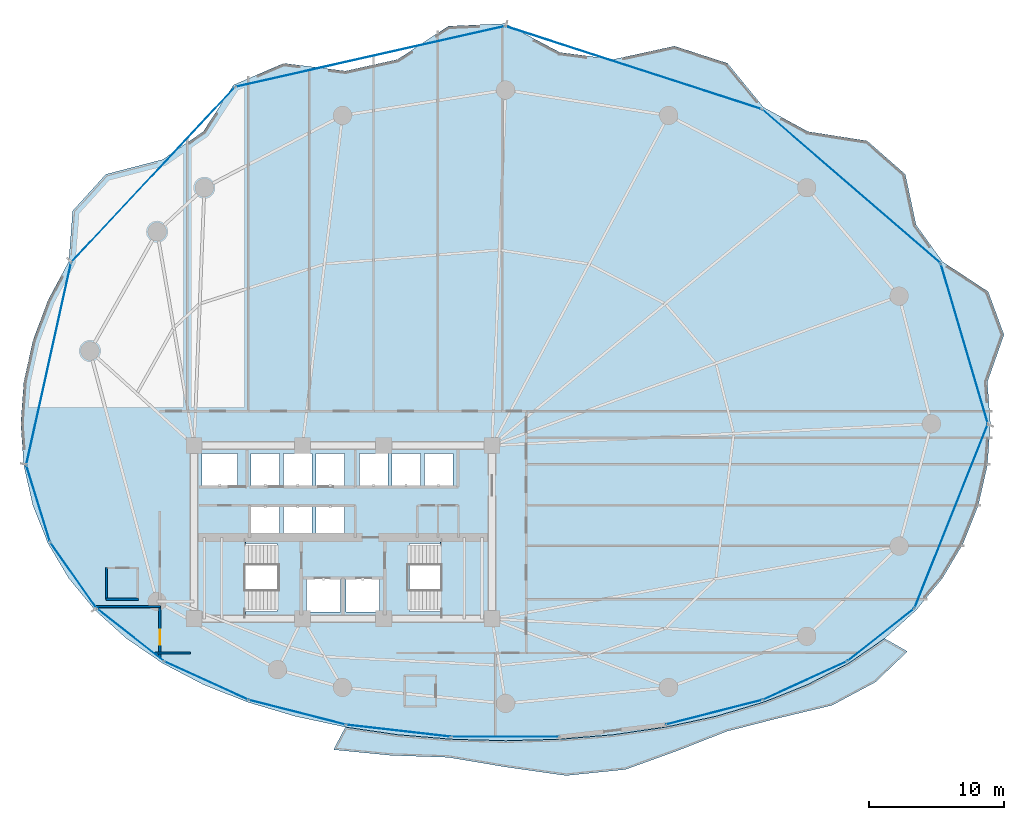
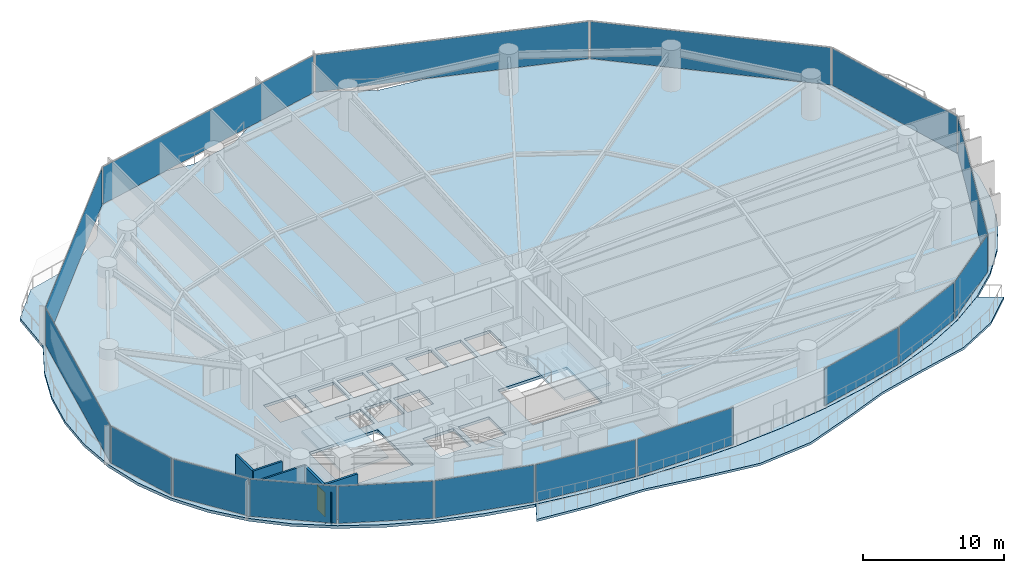
# One storey, part 25 of 33: 17 plates, 5 walls, 4 slabs, 1 door, 1 opening, 19 elements without a shape of their own.
"""IFC4 building model written with IfcOpenShell, lengths in metres."""

from ifc_helpers import new_model, si_unit, direction, frame, frame_2d, origin, origin_2d, place, context, subcontext, project, spatial, polyline, rectangle, outline, extrude, material, layer, layer_set, type_object, element, fill, aggregate, save


model = new_model("IFC4")

# Units and contexts
model_context = context("Model", 3, precision=1e-05, world=origin(), true_north=direction((0.0, 1.0)))
body_context = subcontext(model_context, "Body", "Model", "MODEL_VIEW")
ifc_project = project(units=[si_unit("LENGTHUNIT", "METRE"), si_unit("AREAUNIT", "SQUARE_METRE"), si_unit("VOLUMEUNIT", "CUBIC_METRE"), si_unit("PLANEANGLEUNIT", "RADIAN"), si_unit("MASSUNIT", "GRAM", prefix="KILO")], contexts=[model_context])

# Site, building, storey
site_placement = place(None, origin())
site = spatial("IfcSite", under=ifc_project, at=site_placement, CompositionType="ELEMENT")
building_placement = place(site_placement, origin())
building = spatial("IfcBuilding", under=site, at=building_placement, Name="Kazevale Care Tower and Concert Hall", CompositionType="ELEMENT")
storey_placement = place(building_placement, frame((0.0, 0.0, 49.199951171875)))
storey = spatial("IfcBuildingStorey", under=building, at=storey_placement, Name="L12", CompositionType="ELEMENT", Elevation=49.199951171875)

# Curtain wall, plate
ifc_material_1 = material(Name="Aluminium 6063-T6 and Low-E Glass", Category="aluminium")
ifc_layer_1 = layer(ifc_material_1, 0.179931640625)
ifc_layer_set_1 = layer_set([ifc_layer_1], Name="Aluminium 6063-T6 and Low-E Glass")
curtain_wall_type_1 = type_object("IfcCurtainWallType", Name="Convex Checkerboard Finned Curtain Wall CW-2", PredefinedType="NOTDEFINED", material=ifc_layer_set_1)
curtain_wall_1_placement = place(storey_placement, origin())
curtain_wall_1 = element("IfcCurtainWall", 1, at=curtain_wall_1_placement, inside=storey, type_object=curtain_wall_type_1, Name="cw:L12:f14", PredefinedType="NOTDEFINED")
ifc_material_2 = material(Name="Low-E Laminated Glass", Category="glass")
ifc_layer_2 = layer(ifc_material_2, 0.028076171875)
ifc_layer_set_2 = layer_set([ifc_layer_2], Name="Low-E Laminated Glass")
plate_type_1 = type_object("IfcPlateType", Name="CW-2 Low-E Glazing Panel 28mm", PredefinedType="CURTAIN_PANEL", material=ifc_layer_set_2)
plate_1_placement = place(storey_placement, frame((18.9794921875, 56.39990234375, 0.074951171875), z_axis=(0.0, 0.0, 1.0), x_axis=(0.683059159381, 0.730363049987, 0.0)))
plate_1 = element("IfcPlate", 2, at=plate_1_placement, type_object=plate_type_1, Name="CW-2 panel 1.1", PredefinedType="CURTAIN_PANEL", context=body_context, shape_type="SweptSolid", body=[
    extrude(rectangle(XDim=17.576416015625, YDim=0.028076171875, at=origin_2d()), origin(), (0.0, 0.0, 1.0), 3.2099609375),
])
aggregate(curtain_wall_1, [plate_1])

curtain_wall_2_placement = place(storey_placement, origin())
curtain_wall_2 = element("IfcCurtainWall", 3, at=curtain_wall_2_placement, inside=storey, type_object=curtain_wall_type_1, Name="cw:L12:f16", PredefinedType="NOTDEFINED")
plate_2_placement = place(storey_placement, frame((54.444580078125, 64.298095703125, 0.074951171875), z_axis=(0.0, 0.0, 1.0), x_axis=(0.951410385043, -0.307925769029, 0.0)))
plate_2 = element("IfcPlate", 4, at=plate_2_placement, type_object=plate_type_1, Name="CW-2 panel 1.1", PredefinedType="CURTAIN_PANEL", context=body_context, shape_type="SweptSolid", body=[
    extrude(rectangle(XDim=19.77978515625, YDim=0.028076171875, at=origin_2d()), origin(), (0.0, 0.0, 1.0), 3.2099609375),
])
aggregate(curtain_wall_2, [plate_2])

ifc_layer_3 = layer(ifc_material_1, 0.179931640625)
ifc_layer_set_3 = layer_set([ifc_layer_3], Name="Aluminium 6063-T6 and Low-E Glass")
curtain_wall_type_2 = type_object("IfcCurtainWallType", Name="Convex Recessed Sunroom Curtain Wall CW-3", PredefinedType="NOTDEFINED", material=ifc_layer_set_3)
curtain_wall_3_placement = place(storey_placement, origin())
curtain_wall_3 = element("IfcCurtainWall", 5, at=curtain_wall_3_placement, inside=storey, type_object=curtain_wall_type_2, Name="cw:L12:f15", PredefinedType="NOTDEFINED")
ifc_layer_4 = layer(ifc_material_2, 0.028076171875)
ifc_layer_set_4 = layer_set([ifc_layer_4], Name="Low-E Laminated Glass")
plate_type_2 = type_object("IfcPlateType", Name="CW-3 Low-E Glazing Panel 28mm", PredefinedType="CURTAIN_PANEL", material=ifc_layer_set_4)
plate_3_placement = place(storey_placement, frame((34.998046875, 65.12255859375, 0.074951171875), z_axis=(0.0, 0.0, 1.0), x_axis=(0.975520013596, 0.219910670667, 0.0)))
plate_3 = element("IfcPlate", 6, at=plate_3_placement, type_object=plate_type_2, Name="CW-3 panel 1.1", PredefinedType="CURTAIN_PANEL", context=body_context, shape_type="SweptSolid", body=[
    extrude(rectangle(XDim=20.27197265625, YDim=0.028076171875, at=origin_2d()), origin(), (0.0, 0.0, 1.0), 3.2099609375),
])
aggregate(curtain_wall_3, [plate_3])

curtain_wall_4_placement = place(storey_placement, origin())
curtain_wall_4 = element("IfcCurtainWall", 7, at=curtain_wall_4_placement, inside=storey, type_object=curtain_wall_type_2, Name="cw:L12:f17", PredefinedType="NOTDEFINED")
plate_4_placement = place(storey_placement, frame((70.529052734375, 55.535400390625, 0.074951171875), z_axis=(0.0, 0.0, 1.0), x_axis=(0.757199570248, -0.653183596561, 0.0)))
plate_4 = element("IfcPlate", 8, at=plate_4_placement, type_object=plate_type_2, Name="CW-3 panel 1.1", PredefinedType="CURTAIN_PANEL", context=body_context, shape_type="SweptSolid", body=[
    extrude(rectangle(XDim=17.280029296875, YDim=0.028076171875, at=origin_2d()), origin(), (0.0, 0.0, 1.0), 3.2099609375),
])
aggregate(curtain_wall_4, [plate_4])

ifc_layer_5 = layer(ifc_material_1, 0.179931640625)
ifc_layer_set_5 = layer_set([ifc_layer_5], Name="Aluminium 6063-T6 and Low-E Glass")
curtain_wall_type_3 = type_object("IfcCurtainWallType", Name="Waist & Upper Residential Curtain Wall CW-4", PredefinedType="NOTDEFINED", material=ifc_layer_set_5)
curtain_wall_5_placement = place(storey_placement, origin())
curtain_wall_5 = element("IfcCurtainWall", 9, at=curtain_wall_5_placement, inside=storey, type_object=curtain_wall_type_3, Name="cw:L12:f01", PredefinedType="NOTDEFINED")
ifc_layer_6 = layer(ifc_material_2, 0.030029296875)
ifc_layer_set_6 = layer_set([ifc_layer_6], Name="Low-E Laminated Glass")
plate_type_3 = type_object("IfcPlateType", Name="CW-4 Low-E Glazing Panel 30mm", PredefinedType="CURTAIN_PANEL", material=ifc_layer_set_6)
plate_5_placement = place(storey_placement, frame((77.90087890625, 31.181884765625, 0.080078125), z_axis=(0.0, 0.0, 1.0), x_axis=(-0.370427424456, -0.928861412274, 0.0)))
plate_5 = element("IfcPlate", 10, at=plate_5_placement, type_object=plate_type_3, Name="CW-4 panel 1.1", PredefinedType="CURTAIN_PANEL", context=body_context, shape_type="SweptSolid", body=[
    extrude(rectangle(XDim=14.520263671875, YDim=0.030029296875, at=origin_2d()), origin(), (0.0, 0.0, 1.0), 3.199951171875),
])
aggregate(curtain_wall_5, [plate_5])

curtain_wall_6_placement = place(storey_placement, origin())
curtain_wall_6 = element("IfcCurtainWall", 11, at=curtain_wall_6_placement, inside=storey, type_object=curtain_wall_type_3, Name="cw:L12:f11", PredefinedType="NOTDEFINED")
plate_6_placement = place(storey_placement, frame((13.094482421875, 26.81103515625, 0.080078125), z_axis=(0.0, 0.0, 1.0), x_axis=(-0.575836813322, 0.817564654583, 0.0)))
plate_6 = element("IfcPlate", 12, at=plate_6_placement, type_object=plate_type_3, Name="CW-4 panel 1.1", PredefinedType="CURTAIN_PANEL", context=body_context, shape_type="SweptSolid", body=[
    extrude(rectangle(XDim=5.826171875, YDim=0.030029296875, at=origin_2d()), origin(), (0.0, 0.0, 1.0), 3.199951171875),
])
aggregate(curtain_wall_6, [plate_6])

curtain_wall_7_placement = place(storey_placement, origin())
curtain_wall_7 = element("IfcCurtainWall", 13, at=curtain_wall_7_placement, inside=storey, type_object=curtain_wall_type_3, Name="cw:L12:f12", PredefinedType="NOTDEFINED")
plate_7_placement = place(storey_placement, frame((10.487548828125, 32.10791015625, 0.080078125), z_axis=(0.0, 0.0, 1.0), x_axis=(-0.296098771112, 0.955157326175, 0.0)))
plate_7 = element("IfcPlate", 14, at=plate_7_placement, type_object=plate_type_3, Name="CW-4 panel 1.1", PredefinedType="CURTAIN_PANEL", context=body_context, shape_type="SweptSolid", body=[
    extrude(rectangle(XDim=5.8076171875, YDim=0.030029296875, at=origin_2d()), origin(), (0.0, 0.0, 1.0), 3.199951171875),
])
aggregate(curtain_wall_7, [plate_7])

curtain_wall_8_placement = place(storey_placement, origin())
curtain_wall_8 = element("IfcCurtainWall", 15, at=curtain_wall_8_placement, inside=storey, type_object=curtain_wall_type_3, Name="cw:L12:f13", PredefinedType="NOTDEFINED")
plate_8_placement = place(storey_placement, frame((11.262939453125, 42.4404296875, 0.080078125), z_axis=(0.0, 0.0, 1.0), x_axis=(0.216460716862, 0.976291328475, 0.0)))
plate_8 = element("IfcPlate", 16, at=plate_8_placement, type_object=plate_type_3, Name="CW-4 panel 1.1", PredefinedType="CURTAIN_PANEL", context=body_context, shape_type="SweptSolid", body=[
    extrude(rectangle(XDim=15.16845703125, YDim=0.030029296875, at=origin_2d()), origin(), (0.0, 0.0, 1.0), 3.199951171875),
])
aggregate(curtain_wall_8, [plate_8])

curtain_wall_9_placement = place(storey_placement, origin())
curtain_wall_9 = element("IfcCurtainWall", 17, at=curtain_wall_9_placement, inside=storey, type_object=curtain_wall_type_3, Name="cw:L12:f18", PredefinedType="NOTDEFINED")
plate_9_placement = place(storey_placement, frame((78.8740234375, 43.92138671875, 0.080078125), z_axis=(0.0, 0.0, 1.0), x_axis=(0.282819600918, -0.959173119586, 0.0)))
plate_9 = element("IfcPlate", 18, at=plate_9_placement, type_object=plate_type_3, Name="CW-4 panel 1.1", PredefinedType="CURTAIN_PANEL", context=body_context, shape_type="SweptSolid", body=[
    extrude(rectangle(XDim=12.18701171875, YDim=0.030029296875, at=origin_2d()), origin(), (0.0, 0.0, 1.0), 3.199951171875),
])
aggregate(curtain_wall_9, [plate_9])

ifc_layer_7 = layer(ifc_material_1, 0.179931640625)
ifc_layer_set_7 = layer_set([ifc_layer_7], Name="Aluminium 6063-T6 and Low-E Glass")
curtain_wall_type_4 = type_object("IfcCurtainWallType", Name="Sheltered Concave Balcony Curtain Wall CW-5", PredefinedType="NOTDEFINED", material=ifc_layer_set_7)
curtain_wall_10_placement = place(storey_placement, origin())
curtain_wall_10 = element("IfcCurtainWall", 19, at=curtain_wall_10_placement, inside=storey, type_object=curtain_wall_type_4, Name="cw:L12:f02", PredefinedType="NOTDEFINED")
ifc_layer_8 = layer(ifc_material_2, 0.02587890625)
ifc_layer_set_8 = layer_set([ifc_layer_8], Name="Low-E Laminated Glass")
plate_type_4 = type_object("IfcPlateType", Name="CW-5 Low-E Glazing Panel 26mm", PredefinedType="CURTAIN_PANEL", material=ifc_layer_set_8)
plate_10_placement = place(storey_placement, frame((72.701904296875, 22.41552734375, 0.074951171875), z_axis=(0.0, 0.0, 1.0), x_axis=(-0.78632934107, -0.617807548814, 0.0)))
plate_10 = element("IfcPlate", 20, at=plate_10_placement, type_object=plate_type_4, Name="CW-5 panel 1.1", PredefinedType="CURTAIN_PANEL", context=body_context, shape_type="SweptSolid", body=[
    extrude(rectangle(XDim=6.15771484375, YDim=0.02587890625, at=origin_2d()), origin(), (0.0, 0.0, 1.0), 3.2099609375),
])
aggregate(curtain_wall_10, [plate_10])

curtain_wall_11_placement = place(storey_placement, origin())
curtain_wall_11 = element("IfcCurtainWall", 21, at=curtain_wall_11_placement, inside=storey, type_object=curtain_wall_type_4, Name="cw:L12:f03", PredefinedType="NOTDEFINED")
plate_11_placement = place(storey_placement, frame((67.10498046875, 19.04248046875, 0.074951171875), z_axis=(0.0, 0.0, 1.0), x_axis=(-0.909520179795, -0.415659767773, 0.0)))
plate_11 = element("IfcPlate", 22, at=plate_11_placement, type_object=plate_type_4, Name="CW-5 panel 1.1", PredefinedType="CURTAIN_PANEL", context=body_context, shape_type="SweptSolid", body=[
    extrude(rectangle(XDim=6.7041015625, YDim=0.02587890625, at=origin_2d()), origin(), (0.0, 0.0, 1.0), 3.2099609375),
])
aggregate(curtain_wall_11, [plate_11])

curtain_wall_12_placement = place(storey_placement, origin())
curtain_wall_12 = element("IfcCurtainWall", 23, at=curtain_wall_12_placement, inside=storey, type_object=curtain_wall_type_4, Name="cw:L12:f04", PredefinedType="NOTDEFINED")
plate_12_placement = place(storey_placement, frame((60.389892578125, 16.699951171875, 0.074951171875), z_axis=(0.0, 0.0, 1.0), x_axis=(-0.968958899798, -0.247221864936, 0.0)))
plate_12 = element("IfcPlate", 24, at=plate_12_placement, type_object=plate_type_4, Name="CW-5 panel 1.1", PredefinedType="CURTAIN_PANEL", context=body_context, shape_type="SweptSolid", body=[
    extrude(rectangle(XDim=7.276611328125, YDim=0.02587890625, at=origin_2d()), origin(), (0.0, 0.0, 1.0), 3.2099609375),
])
aggregate(curtain_wall_12, [plate_12])

curtain_wall_13_placement = place(storey_placement, origin())
curtain_wall_13 = element("IfcCurtainWall", 25, at=curtain_wall_13_placement, inside=storey, type_object=curtain_wall_type_4, Name="cw:L12:f06", PredefinedType="NOTDEFINED")
plate_13_placement = place(storey_placement, frame((45.0, 14.889892578125, 0.074951171875), z_axis=(0.0, 0.0, 1.0), x_axis=(-1.0, 0.0, 0.0)))
plate_13 = element("IfcPlate", 26, at=plate_13_placement, type_object=plate_type_4, Name="CW-5 panel 1.1", PredefinedType="CURTAIN_PANEL", context=body_context, shape_type="SweptSolid", body=[
    extrude(rectangle(XDim=7.845947265625, YDim=0.02587890625, at=origin_2d()), origin(), (0.0, 0.0, 1.0), 3.2099609375),
])
aggregate(curtain_wall_13, [plate_13])

curtain_wall_14_placement = place(storey_placement, origin())
curtain_wall_14 = element("IfcCurtainWall", 27, at=curtain_wall_14_placement, inside=storey, type_object=curtain_wall_type_4, Name="cw:L12:f07", PredefinedType="NOTDEFINED")
plate_14_placement = place(storey_placement, frame((37.10498046875, 15.3359375, 0.074951171875), z_axis=(0.0, 0.0, 1.0), x_axis=(-0.993514581883, 0.113704773808, 0.0)))
plate_14 = element("IfcPlate", 28, at=plate_14_placement, type_object=plate_type_4, Name="CW-5 panel 1.1", PredefinedType="CURTAIN_PANEL", context=body_context, shape_type="SweptSolid", body=[
    extrude(rectangle(XDim=7.69482421875, YDim=0.02587890625, at=origin_2d()), origin(), (0.0, 0.0, 1.0), 3.2099609375),
])
aggregate(curtain_wall_14, [plate_14])

curtain_wall_15_placement = place(storey_placement, origin())
curtain_wall_15 = element("IfcCurtainWall", 29, at=curtain_wall_15_placement, inside=storey, type_object=curtain_wall_type_4, Name="cw:L12:f08", PredefinedType="NOTDEFINED")
plate_15_placement = place(storey_placement, frame((29.610107421875, 16.699951171875, 0.074951171875), z_axis=(0.0, 0.0, 1.0), x_axis=(-0.968958899798, 0.247221864936, 0.0)))
plate_15 = element("IfcPlate", 30, at=plate_15_placement, type_object=plate_type_4, Name="CW-5 panel 1.1", PredefinedType="CURTAIN_PANEL", context=body_context, shape_type="SweptSolid", body=[
    extrude(rectangle(XDim=7.276611328125, YDim=0.02587890625, at=origin_2d()), origin(), (0.0, 0.0, 1.0), 3.2099609375),
])
aggregate(curtain_wall_15, [plate_15])

curtain_wall_16_placement = place(storey_placement, origin())
curtain_wall_16 = element("IfcCurtainWall", 31, at=curtain_wall_16_placement, inside=storey, type_object=curtain_wall_type_4, Name="cw:L12:f09", PredefinedType="NOTDEFINED")
plate_16_placement = place(storey_placement, frame((22.89501953125, 19.04248046875, 0.074951171875), z_axis=(0.0, 0.0, 1.0), x_axis=(-0.909520179795, 0.415659767773, 0.0)))
plate_16 = element("IfcPlate", 32, at=plate_16_placement, type_object=plate_type_4, Name="CW-5 panel 1.1", PredefinedType="CURTAIN_PANEL", context=body_context, shape_type="SweptSolid", body=[
    extrude(rectangle(XDim=6.7041015625, YDim=0.02587890625, at=origin_2d()), origin(), (0.0, 0.0, 1.0), 3.2099609375),
])
aggregate(curtain_wall_16, [plate_16])

curtain_wall_17_placement = place(storey_placement, origin())
curtain_wall_17 = element("IfcCurtainWall", 33, at=curtain_wall_17_placement, inside=storey, type_object=curtain_wall_type_4, Name="cw:L12:f10", PredefinedType="NOTDEFINED")
plate_17_placement = place(storey_placement, frame((17.298095703125, 22.41552734375, 0.074951171875), z_axis=(0.0, 0.0, 1.0), x_axis=(-0.78632934107, 0.617807548814, 0.0)))
plate_17 = element("IfcPlate", 34, at=plate_17_placement, type_object=plate_type_4, Name="CW-5 panel 1.1", PredefinedType="CURTAIN_PANEL", context=body_context, shape_type="SweptSolid", body=[
    extrude(rectangle(XDim=6.15771484375, YDim=0.02587890625, at=origin_2d()), origin(), (0.0, 0.0, 1.0), 3.2099609375),
])
aggregate(curtain_wall_17, [plate_17])

# Slab
ifc_material_3 = material(Name="Concrete C40", Category="concrete")
ifc_layer_9 = layer(ifc_material_3, 0.199951171875)
ifc_layer_set_9 = layer_set([ifc_layer_9], Name="Concrete C40")
slab_type_1 = type_object("IfcSlabType", Name="Sinusoidal Concave Balcony Slab 200", PredefinedType="USERDEFINED", material=ifc_layer_set_9)
slab_1_placement = place(storey_placement, frame((0.0, 0.0, -0.199951171875)))
element("IfcSlab", 35, at=slab_1_placement, inside=storey, type_object=slab_type_1, Name="slab:L12:bal", ObjectType="BALCONY", PredefinedType="USERDEFINED", context=body_context, shape_type="SweptSolid", body=[
    extrude(outline(polyline([(74.67236328125, 21.18994140625), (72.302001953125, 18.92333984375), (69.1015625, 17.212158203125), (65.14111328125, 16.266845703125), (61.33349609375, 15.290283203125), (57.735595703125, 13.87841796875), (53.857421875, 12.475830078125), (49.470458984375, 12.025146484375), (45.0, 12.660400390625), (40.76123046875, 13.37109375), (36.50439453125, 13.517822265625), (32.29541015625, 13.9375), (33.173583984375, 15.6005859375), (33.175048828125, 15.600341796875), (37.033203125, 15.038818359375), (40.991455078125, 14.705322265625), (45.0, 14.594970703125), (49.008544921875, 14.705322265625), (52.966796875, 15.038818359375), (56.824951171875, 15.600341796875), (60.5341796875, 16.3984375), (64.04833984375, 17.443115234375), (67.322998046875, 18.743408203125), (70.31689453125, 20.3076171875), (72.99267578125, 22.139404296875), (72.994140625, 22.140625), (74.67236328125, 21.18994140625)])), origin(), (0.0, 0.0, 1.0), 0.199951171875),
])

# Stair, slab
stair_type = type_object("IfcStairType", Name="Exit Stair Assembly ST1-Z1", PredefinedType="HALF_TURN_STAIR", material=ifc_material_3)
stair_1_placement = place(storey_placement, origin())
stair_1 = element("IfcStair", 36, at=stair_1_placement, inside=storey, type_object=stair_type, Name="stair:L12:ST1", PredefinedType="HALF_TURN_STAIR")
ifc_layer_10 = layer(ifc_material_3, 0.199951171875)
ifc_layer_set_10 = layer_set([ifc_layer_10], Name="Concrete C40")
slab_type_2 = type_object("IfcSlabType", Name="Stair Half-Landing Slab ST1-Z1", PredefinedType="LANDING", material=ifc_layer_set_10)
slab_2_placement = place(storey_placement, frame((0.0, 0.0, 1.60009765625)))
slab_2 = element("IfcSlab", 37, at=slab_2_placement, type_object=slab_type_2, Name="ST1-Z1 landing 1", PredefinedType="LANDING", context=body_context, shape_type="SweptSolid", body=[
    extrude(outline(polyline([(22.050048828125, 23.699951171875), (25.81005859375, 23.699951171875), (25.81005859375, 29.5), (22.050048828125, 29.5), (22.050048828125, 23.699951171875)])), origin(), (0.0, 0.0, 1.0), 0.199951171875),
])
aggregate(stair_1, [slab_2])

stair_2_placement = place(storey_placement, origin())
stair_2 = element("IfcStair", 38, at=stair_2_placement, inside=storey, type_object=stair_type, Name="stair:L12:ST2", PredefinedType="HALF_TURN_STAIR")
slab_3_placement = place(storey_placement, frame((0.0, 0.0, 1.60009765625)))
slab_3 = element("IfcSlab", 39, at=slab_3_placement, type_object=slab_type_2, Name="ST1-Z1 landing 1", PredefinedType="LANDING", context=body_context, shape_type="SweptSolid", body=[
    extrude(outline(polyline([(40.18994140625, 23.699951171875), (43.949951171875, 23.699951171875), (43.949951171875, 29.5), (40.18994140625, 29.5), (40.18994140625, 23.699951171875)])), origin(), (0.0, 0.0, 1.0), 0.199951171875),
])
aggregate(stair_2, [slab_3])

# Slab
ifc_layer_11 = layer(ifc_material_3, 0.239990234375)
ifc_layer_set_11 = layer_set([ifc_layer_11], Name="Concrete C40")
slab_type_3 = type_object("IfcSlabType", Name="Tower Typical Floor Slab 240", PredefinedType="FLOOR", material=ifc_layer_set_11)
slab_4_placement = place(storey_placement, frame((0.0, 0.0, -0.239990234375)))
element("IfcSlab", 40, at=slab_4_placement, inside=storey, type_object=slab_type_3, Name="slab:L12:tw:1", PredefinedType="FLOOR", context=body_context, shape_type="SweptSolid", body=[
    extrude(outline(polyline([(80.800048828125, 38.0), (80.574951171875, 41.090087890625), (81.803466796875, 44.575439453125), (80.631591796875, 47.759765625), (77.254638671875, 49.97509765625), (75.312744140625, 52.68408203125), (74.51416015625, 56.424072265625), (71.693359375, 58.89501953125), (67.32080078125, 59.57861328125), (64.046630859375, 61.36962890625), (61.379150390625, 64.62353515625), (57.468017578125, 65.891845703125), (52.96630859375, 64.907958984375), (49.00830078125, 65.426513671875), (45.0, 67.550048828125), (40.773193359375, 67.3642578125), (37.03369140625, 64.907958984375), (33.176025390625, 64.05126953125), (28.620849609375, 64.62353515625), (24.915771484375, 63.020751953125), (22.67919921875, 59.57861328125), (19.685546875, 57.51611328125), (15.48583984375, 56.424072265625), (13.0361328125, 53.721435546875), (12.745361328125, 49.97509765625), (11.208984375, 47.11572265625), (10.09765625, 44.1416015625), (9.425048828125, 41.090087890625), (9.199951171875, 38.0), (9.425048828125, 34.931640625), (10.09765625, 31.972412109375), (11.208984375, 29.178466796875), (12.745361328125, 26.591064453125), (14.687255859375, 24.239501953125), (17.010498046875, 22.143310546875), (19.685546875, 20.31201171875), (22.67919921875, 18.748046875), (25.953369140625, 17.44775390625), (29.467041015625, 16.4033203125), (33.176025390625, 15.605224609375), (37.03369140625, 15.043701171875), (40.99169921875, 14.71044921875), (45.0, 14.60009765625), (49.00830078125, 14.71044921875), (52.96630859375, 15.043701171875), (56.823974609375, 15.605224609375), (60.532958984375, 16.4033203125), (64.046630859375, 17.44775390625), (67.32080078125, 18.748046875), (70.314453125, 20.31201171875), (72.989501953125, 22.143310546875), (75.312744140625, 24.239501953125), (77.254638671875, 26.591064453125), (78.791015625, 29.178466796875), (79.90234375, 31.972412109375), (80.574951171875, 34.931640625), (80.800048828125, 38.0)]), holes=[polyline([(22.449951171875, 24.14990234375), (28.110107421875, 24.14990234375), (28.110107421875, 29.14990234375), (22.449951171875, 29.14990234375), (22.449951171875, 24.14990234375)]), polyline([(37.889892578125, 24.14990234375), (43.550048828125, 24.14990234375), (43.550048828125, 29.14990234375), (37.889892578125, 29.14990234375), (37.889892578125, 24.14990234375)]), polyline([(30.300048828125, 24.10009765625), (32.800048828125, 24.10009765625), (32.800048828125, 26.60009765625), (30.300048828125, 26.60009765625), (30.300048828125, 24.10009765625)]), polyline([(33.199951171875, 24.10009765625), (35.699951171875, 24.10009765625), (35.699951171875, 26.60009765625), (33.199951171875, 26.60009765625), (33.199951171875, 24.10009765625)]), polyline([(22.60009765625, 33.39990234375), (25.199951171875, 33.39990234375), (25.199951171875, 35.800048828125), (22.60009765625, 35.800048828125), (22.60009765625, 33.39990234375)]), polyline([(26.199951171875, 33.39990234375), (28.300048828125, 33.39990234375), (28.300048828125, 35.800048828125), (26.199951171875, 35.800048828125), (26.199951171875, 33.39990234375)]), polyline([(28.60009765625, 33.39990234375), (30.699951171875, 33.39990234375), (30.699951171875, 35.800048828125), (28.60009765625, 35.800048828125), (28.60009765625, 33.39990234375)]), polyline([(31.0, 33.39990234375), (33.10009765625, 33.39990234375), (33.10009765625, 35.800048828125), (31.0, 35.800048828125), (31.0, 33.39990234375)]), polyline([(34.199951171875, 33.39990234375), (36.300048828125, 33.39990234375), (36.300048828125, 35.800048828125), (34.199951171875, 35.800048828125), (34.199951171875, 33.39990234375)]), polyline([(36.60009765625, 33.39990234375), (38.699951171875, 33.39990234375), (38.699951171875, 35.800048828125), (36.60009765625, 35.800048828125), (36.60009765625, 33.39990234375)]), polyline([(39.0, 33.39990234375), (41.10009765625, 33.39990234375), (41.10009765625, 35.800048828125), (39.0, 35.800048828125), (39.0, 33.39990234375)]), polyline([(26.199951171875, 29.949951171875), (28.300048828125, 29.949951171875), (28.300048828125, 31.949951171875), (26.199951171875, 31.949951171875), (26.199951171875, 29.949951171875)]), polyline([(28.60009765625, 29.949951171875), (30.699951171875, 29.949951171875), (30.699951171875, 31.949951171875), (28.60009765625, 31.949951171875), (28.60009765625, 29.949951171875)]), polyline([(31.0, 29.949951171875), (33.10009765625, 29.949951171875), (33.10009765625, 31.949951171875), (31.0, 31.949951171875), (31.0, 29.949951171875)])]), origin(), (0.0, 0.0, 1.0), 0.239990234375),
])

# Wall
ifc_material_4 = material(Name="Acoustic Gypsum on Steel Stud", Category="steel")
ifc_layer_12 = layer(ifc_material_4, 0.139892578125)
ifc_layer_set_12 = layer_set([ifc_layer_12], Name="Acoustic Gypsum on Steel Stud")
wall_type_1 = type_object("IfcWallType", Name="Acoustic Care & Suite Partition 140", PredefinedType="PARTITIONING", material=ifc_layer_set_12)
wall_1_placement = place(storey_placement, frame((14.732177734375, 24.5, 0.0), z_axis=(0.0, 0.0, 1.0), x_axis=(1.0, 0.0, 0.0)))
element("IfcWall", 41, at=wall_1_placement, inside=storey, type_object=wall_type_1, Name="wall:L12:auto_033", PredefinedType="PARTITIONING", context=body_context, shape_type="SweptSolid", body=[
    extrude(rectangle(XDim=4.772705078125, YDim=0.139892578125, at=frame_2d((2.38623046875, 0.0))), origin(), (0.0, 0.0, 1.0), 2.80615234375),
])

# Wall, opening, door
ifc_material_5 = material(Name="Concrete C40 and Acoustic Gypsum", Category="concrete")
ifc_layer_13 = layer(ifc_material_5, 0.179931640625)
ifc_layer_set_13 = layer_set([ifc_layer_13], Name="Concrete C40 and Acoustic Gypsum")
wall_type_2 = type_object("IfcWallType", Name="Fire-Rated Corridor & Party Wall 180", PredefinedType="PARTITIONING", material=ifc_layer_set_13)
wall_2_placement = place(storey_placement, frame((19.47509765625, 20.695068359375, 0.0), z_axis=(0.0, 0.0, 1.0), x_axis=(0.0, 1.0, 0.0)))
wall_2 = element("IfcWall", 42, at=wall_2_placement, inside=storey, type_object=wall_type_2, Name="wall:L12:auto_016", PredefinedType="PARTITIONING", context=body_context, shape_type="SweptSolid", body=[
    extrude(rectangle(XDim=3.869873046875, YDim=0.179931640625, at=frame_2d((1.93505859375, 0.0))), origin(), (0.0, 0.0, 1.0), 2.738037109375),
])
opening_placement = place(wall_2_placement, frame((0.985107421875, 0.0, 0.0)))
opening = element("IfcOpeningElement", 43, at=opening_placement, cuts=wall_2, Name="Opening ID-1100", PredefinedType="OPENING", context=body_context, shape_type="SweptSolid", body=[
    extrude(rectangle(XDim=1.10009765625, YDim=2.10009765625, at=frame_2d((0.550048828125, 1.050048828125))), frame((0.0, 0.099853515625, 0.0), z_axis=(0.0, -1.0, 0.0), x_axis=(1.0, 0.0, 0.0)), (0.0, 0.0, 1.0), 0.199951171875),
])
ifc_material_6 = material(Name="Oak Timber Fire Leaf", Category="wood")
door_type = type_object("IfcDoorType", Name="Care Bedroom Accessible Door 1100x2100", OperationType="NOTDEFINED", PredefinedType="DOOR", material=ifc_material_6)
door_placement = place(opening_placement, origin())
door = element("IfcDoor", 44, at=door_placement, inside=storey, type_object=door_type, Name="door:L12:ad_016", OperationType="SINGLE_SWING_LEFT", OverallHeight=2.10009765625, OverallWidth=1.10009765625, PredefinedType="DOOR", context=body_context, shape_type="SweptSolid", body=[
    extrude(rectangle(XDim=1.10009765625, YDim=2.10009765625, at=frame_2d((0.550048828125, 1.050048828125))), frame((0.0, 0.02490234375, 0.0), z_axis=(0.0, -1.0, 0.0), x_axis=(1.0, 0.0, 0.0)), (0.0, 0.0, 1.0), 0.050048828125),
])
fill(opening, door)

# Walls
wall_3_placement = place(storey_placement, frame((21.739990234375, 21.074951171875, 0.0), z_axis=(0.0, 0.0, 1.0), x_axis=(-1.0, 0.0, 0.0)))
element("IfcWall", 45, at=wall_3_placement, inside=storey, type_object=wall_type_2, Name="wall:L12:auto_017", PredefinedType="PARTITIONING", context=body_context, shape_type="SweptSolid", body=[
    extrude(rectangle(XDim=2.64501953125, YDim=0.179931640625, at=frame_2d((1.322509765625, 0.0))), origin(), (0.0, 0.0, 1.0), 3.360107421875),
])
ifc_layer_14 = layer(ifc_material_4, 0.159912109375)
ifc_layer_set_14 = layer_set([ifc_layer_14], Name="Acoustic Gypsum on Steel Stud")
wall_type_3 = type_object("IfcWallType", Name="Moisture-Resistant Bathroom Plumbing Wall 160", PredefinedType="PLUMBINGWALL", material=ifc_layer_set_14)
for number, where, z_axis, x_axis, name in (
    (46, (15.5, 25.050048828125, 0.0), (0.0, 0.0, 1.0), (1.0, 0.0, 0.0), "wall:L12:wb2_ens_ws"),
    (47, (15.5400390625, 25.010009765625, 0.0), (0.0, 0.0, 1.0), (0.0, 1.0, 0.0), "wall:L12:wb2_ens_ww"),
):
    element("IfcWall", number, at=place(storey_placement, frame(where, z_axis=z_axis, x_axis=x_axis)), inside=storey, type_object=wall_type_3, Name=name, PredefinedType="PLUMBINGWALL", context=body_context, shape_type="SweptSolid", body=[
        extrude(rectangle(XDim=2.3798828125, YDim=0.159912109375, at=frame_2d((1.18994140625, 0.0))), origin(), (0.0, 0.0, 1.0), 3.360107421875),
    ])

save(model, "model.ifc")
